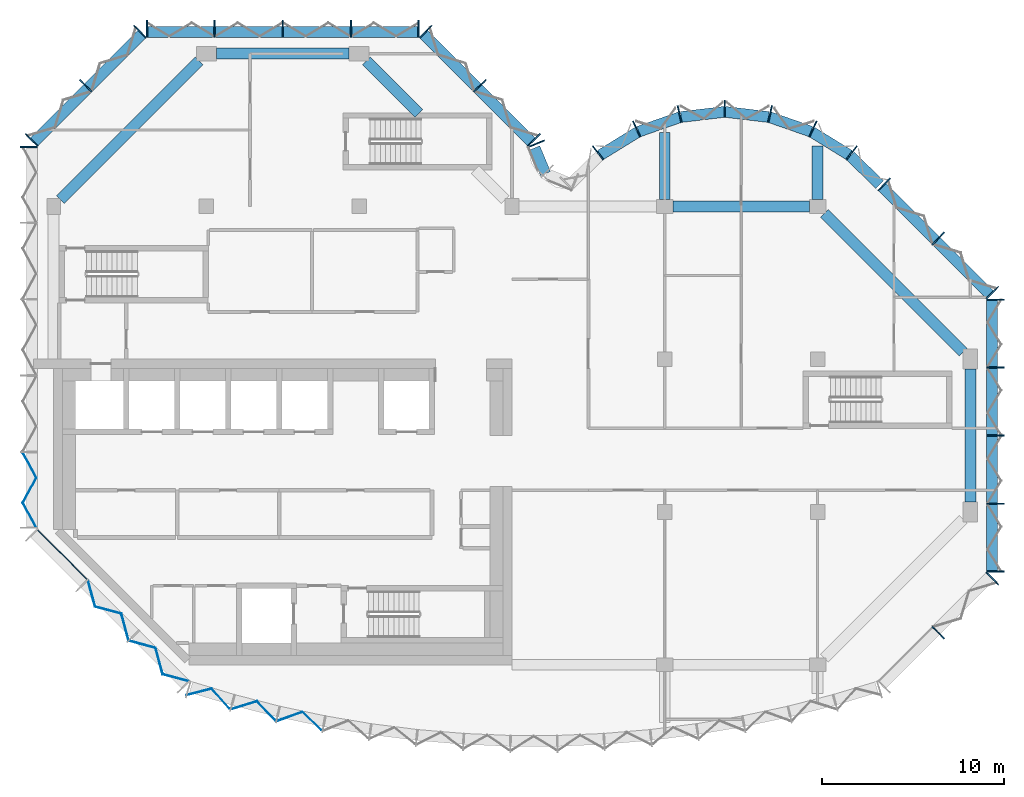
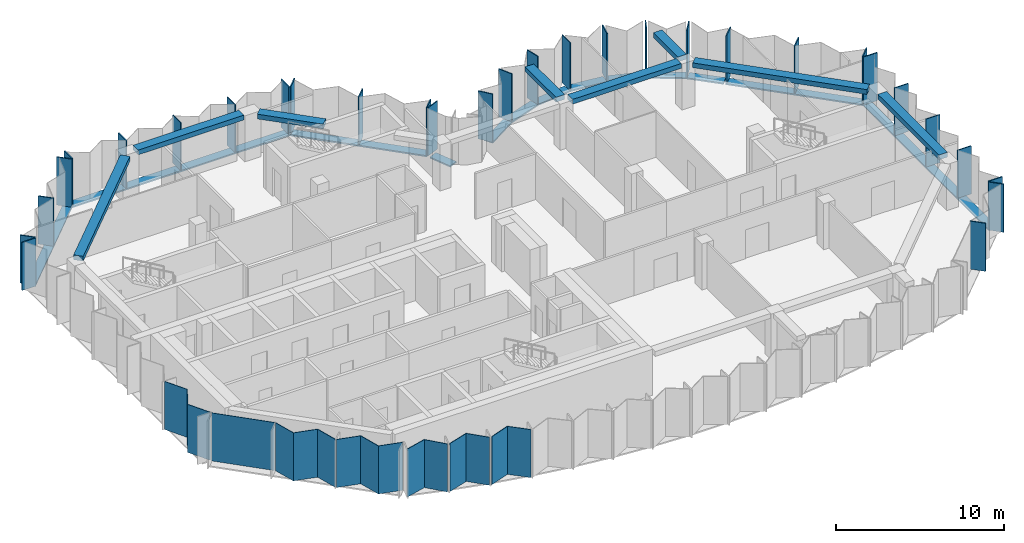
# One storey, part 2 of 10: 43 members, 8 beams, 7 plates, 11 elements without a shape of their own.
"""IFC4 building model written with IfcOpenShell, lengths in metres."""

from ifc_helpers import new_model, si_unit, direction, frame, origin, origin_2d, place, context, subcontext, project, spatial, polyline, rectangle, outline, extrude, material, layer, layer_set, material_profile, profile_set, type_object, element, aggregate, save


model = new_model("IFC4")

# Units and contexts
model_context = context("Model", 3, precision=1e-05, world=origin(), true_north=direction((0.0, 1.0)))
body_context = subcontext(model_context, "Body", "Model", "MODEL_VIEW")
ifc_project = project(units=[si_unit("LENGTHUNIT", "METRE"), si_unit("AREAUNIT", "SQUARE_METRE"), si_unit("VOLUMEUNIT", "CUBIC_METRE"), si_unit("PLANEANGLEUNIT", "RADIAN"), si_unit("MASSUNIT", "GRAM", prefix="KILO")], contexts=[model_context])

# Site, building, storey
site_placement = place(None, origin())
site = spatial("IfcSite", under=ifc_project, at=site_placement, CompositionType="ELEMENT")
building_placement = place(site_placement, origin())
building = spatial("IfcBuilding", under=site, at=building_placement, Name="Brevane Broadcast Tower", CompositionType="ELEMENT")
storey_placement = place(building_placement, frame((0.0, 0.0, 237.300048828125)))
storey = spatial("IfcBuildingStorey", under=building, at=storey_placement, Name="L60", CompositionType="ELEMENT", Elevation=237.300048828125)

# Curtain wall, members
ifc_material_1 = material(Name="Aluminium 6063-T6 bronze anodised", Category="aluminium")
curtain_wall_type = type_object("IfcCurtainWallType", Name="CW-1 curtain wall", PredefinedType="NOTDEFINED", material=ifc_material_1)
curtain_wall_1_placement = place(storey_placement, origin())
curtain_wall_1 = element("IfcCurtainWall", 1, at=curtain_wall_1_placement, inside=storey, type_object=curtain_wall_type, Name="CW-1 typical tilted unit L60 south-east chamfer", PredefinedType="NOTDEFINED")
ifc_material_profile_1 = material_profile(ifc_material_1, rectangle(XDim=0.949951171875, YDim=0.070068359375, at=origin_2d()), Name="RECT 70x950")
ifc_profile_set_1 = profile_set([ifc_material_profile_1], Name="Aluminium 6063-T6 bronze anodised")
member_type_1 = type_object("IfcMemberType", Name="CW-1 mullion 70x950", PredefinedType="MULLION", material=ifc_profile_set_1)
member_1_placement = place(storey_placement, frame((48.635986328125, 1.76416015625, -0.150146484375), z_axis=(0.0, 0.0, 1.0), x_axis=(-0.707106781187, 0.707106781187, 0.0)))
member_1 = element("IfcMember", 2, at=member_1_placement, type_object=member_type_1, Name="CW-1 mullion", PredefinedType="MULLION", context=body_context, shape_type="SweptSolid", body=[
    extrude(rectangle(XDim=0.949951171875, YDim=0.070068359375, at=origin_2d()), origin(), (0.0, 0.0, 1.0), 3.5),
])
member_2_placement = place(storey_placement, frame((51.611083984375, 4.7392578125, -0.150146484375), z_axis=(0.0, 0.0, 1.0), x_axis=(-0.707106781187, 0.707106781187, 0.0)))
member_2 = element("IfcMember", 3, at=member_2_placement, type_object=member_type_1, Name="CW-1 mullion", PredefinedType="MULLION", context=body_context, shape_type="SweptSolid", body=[
    extrude(rectangle(XDim=0.949951171875, YDim=0.070068359375, at=origin_2d()), origin(), (0.0, 0.0, 1.0), 3.5),
])
aggregate(curtain_wall_1, [member_1, member_2])

curtain_wall_2_placement = place(storey_placement, origin())
curtain_wall_2 = element("IfcCurtainWall", 4, at=curtain_wall_2_placement, inside=storey, type_object=curtain_wall_type, Name="CW-1 typical tilted unit L60 east end", PredefinedType="NOTDEFINED")
member_3_placement = place(storey_placement, frame((51.77490234375, 5.135009765625, -0.150146484375), z_axis=(0.0, 0.0, 1.0), x_axis=(-1.0, 0.0, 0.0)))
member_3 = element("IfcMember", 5, at=member_3_placement, type_object=member_type_1, Name="CW-1 mullion", PredefinedType="MULLION", context=body_context, shape_type="SweptSolid", body=[
    extrude(rectangle(XDim=0.949951171875, YDim=0.070068359375, at=origin_2d()), origin(), (0.0, 0.0, 1.0), 3.5),
])
member_4_placement = place(storey_placement, frame((51.77490234375, 8.85009765625, -0.150146484375), z_axis=(0.0, 0.0, 1.0), x_axis=(-1.0, 0.0, 0.0)))
member_4 = element("IfcMember", 6, at=member_4_placement, type_object=member_type_1, Name="CW-1 mullion", PredefinedType="MULLION", context=body_context, shape_type="SweptSolid", body=[
    extrude(rectangle(XDim=0.949951171875, YDim=0.070068359375, at=origin_2d()), origin(), (0.0, 0.0, 1.0), 3.5),
])
member_5_placement = place(storey_placement, frame((51.77490234375, 12.60009765625, -0.150146484375), z_axis=(0.0, 0.0, 1.0), x_axis=(-1.0, 0.0, 0.0)))
member_5 = element("IfcMember", 7, at=member_5_placement, type_object=member_type_1, Name="CW-1 mullion", PredefinedType="MULLION", context=body_context, shape_type="SweptSolid", body=[
    extrude(rectangle(XDim=0.949951171875, YDim=0.070068359375, at=origin_2d()), origin(), (0.0, 0.0, 1.0), 3.5),
])
member_6_placement = place(storey_placement, frame((51.77490234375, 16.35009765625, -0.150146484375), z_axis=(0.0, 0.0, 1.0), x_axis=(-1.0, 0.0, 0.0)))
member_6 = element("IfcMember", 8, at=member_6_placement, type_object=member_type_1, Name="CW-1 mullion", PredefinedType="MULLION", context=body_context, shape_type="SweptSolid", body=[
    extrude(rectangle(XDim=0.949951171875, YDim=0.070068359375, at=origin_2d()), origin(), (0.0, 0.0, 1.0), 3.5),
])
member_7_placement = place(storey_placement, frame((51.77490234375, 20.06494140625, -0.150146484375), z_axis=(0.0, 0.0, 1.0), x_axis=(-1.0, 0.0, 0.0)))
member_7 = element("IfcMember", 9, at=member_7_placement, type_object=member_type_1, Name="CW-1 mullion", PredefinedType="MULLION", context=body_context, shape_type="SweptSolid", body=[
    extrude(rectangle(XDim=0.949951171875, YDim=0.070068359375, at=origin_2d()), origin(), (0.0, 0.0, 1.0), 3.5),
])

curtain_wall_3_placement = place(storey_placement, origin())
curtain_wall_3 = element("IfcCurtainWall", 10, at=curtain_wall_3_placement, inside=storey, type_object=curtain_wall_type, Name="CW-1 typical tilted unit L60 north-east chamfer", PredefinedType="NOTDEFINED")
member_8_placement = place(storey_placement, frame((51.611083984375, 20.460693359375, -0.150146484375), z_axis=(0.0, 0.0, 1.0), x_axis=(-0.707106781187, -0.707106781187, 0.0)))
member_8 = element("IfcMember", 11, at=member_8_placement, type_object=member_type_1, Name="CW-1 mullion", PredefinedType="MULLION", context=body_context, shape_type="SweptSolid", body=[
    extrude(rectangle(XDim=0.949951171875, YDim=0.070068359375, at=origin_2d()), origin(), (0.0, 0.0, 1.0), 3.5),
])
member_9_placement = place(storey_placement, frame((48.635986328125, 23.435791015625, -0.150146484375), z_axis=(0.0, 0.0, 1.0), x_axis=(-0.707106781187, -0.707106781187, 0.0)))
member_9 = element("IfcMember", 12, at=member_9_placement, type_object=member_type_1, Name="CW-1 mullion", PredefinedType="MULLION", context=body_context, shape_type="SweptSolid", body=[
    extrude(rectangle(XDim=0.949951171875, YDim=0.070068359375, at=origin_2d()), origin(), (0.0, 0.0, 1.0), 3.5),
])
member_10_placement = place(storey_placement, frame((45.66064453125, 26.4111328125, -0.150146484375), z_axis=(0.0, 0.0, 1.0), x_axis=(-0.707106781187, -0.707106781187, 0.0)))
member_10 = element("IfcMember", 13, at=member_10_placement, type_object=member_type_1, Name="CW-1 mullion", PredefinedType="MULLION", context=body_context, shape_type="SweptSolid", body=[
    extrude(rectangle(XDim=0.949951171875, YDim=0.070068359375, at=origin_2d()), origin(), (0.0, 0.0, 1.0), 3.5),
])

curtain_wall_4_placement = place(storey_placement, origin())
curtain_wall_4 = element("IfcCurtainWall", 14, at=curtain_wall_4_placement, inside=storey, type_object=curtain_wall_type, Name="CW-1 typical tilted unit L60 east bow", PredefinedType="NOTDEFINED")
member_11_placement = place(storey_placement, frame((43.8720703125, 28.1455078125, -0.150146484375), z_axis=(0.0, 0.0, 1.0), x_axis=(-0.614769698862, -0.788706673841, 0.0)))
member_11 = element("IfcMember", 15, at=member_11_placement, type_object=member_type_1, Name="CW-1 mullion", PredefinedType="MULLION", context=body_context, shape_type="SweptSolid", body=[
    extrude(rectangle(XDim=0.949951171875, YDim=0.070068359375, at=origin_2d()), origin(), (0.0, 0.0, 1.0), 3.5),
])
member_12_placement = place(storey_placement, frame((41.746826171875, 29.4580078125, -0.150146484375), z_axis=(0.0, 0.0, 1.0), x_axis=(-0.429933580394, -0.902860518823, 0.0)))
member_12 = element("IfcMember", 16, at=member_12_placement, type_object=member_type_1, Name="CW-1 mullion", PredefinedType="MULLION", context=body_context, shape_type="SweptSolid", body=[
    extrude(rectangle(XDim=0.949951171875, YDim=0.070068359375, at=origin_2d()), origin(), (0.0, 0.0, 1.0), 3.5),
])
member_13_placement = place(storey_placement, frame((39.38818359375, 30.28076171875, -0.150146484375), z_axis=(0.0, 0.0, 1.0), x_axis=(-0.224806535479, -0.974403418306, 0.0)))
member_13 = element("IfcMember", 17, at=member_13_placement, type_object=member_type_1, Name="CW-1 mullion", PredefinedType="MULLION", context=body_context, shape_type="SweptSolid", body=[
    extrude(rectangle(XDim=0.949951171875, YDim=0.070068359375, at=origin_2d()), origin(), (0.0, 0.0, 1.0), 3.5),
])
member_14_placement = place(storey_placement, frame((36.89990234375, 30.574951171875, -0.150146484375), z_axis=(0.0, 0.0, 1.0), x_axis=(0.0, -1.0, 0.0)))
member_14 = element("IfcMember", 18, at=member_14_placement, type_object=member_type_1, Name="CW-1 mullion", PredefinedType="MULLION", context=body_context, shape_type="SweptSolid", body=[
    extrude(rectangle(XDim=0.949951171875, YDim=0.070068359375, at=origin_2d()), origin(), (0.0, 0.0, 1.0), 3.5),
])
member_15_placement = place(storey_placement, frame((34.411865234375, 30.28076171875, -0.150146484375), z_axis=(0.0, 0.0, 1.0), x_axis=(0.224806535479, -0.974403418306, 0.0)))
member_15 = element("IfcMember", 19, at=member_15_placement, type_object=member_type_1, Name="CW-1 mullion", PredefinedType="MULLION", context=body_context, shape_type="SweptSolid", body=[
    extrude(rectangle(XDim=0.949951171875, YDim=0.070068359375, at=origin_2d()), origin(), (0.0, 0.0, 1.0), 3.5),
])
member_16_placement = place(storey_placement, frame((32.05322265625, 29.4580078125, -0.150146484375), z_axis=(0.0, 0.0, 1.0), x_axis=(0.429933580394, -0.902860518823, 0.0)))
member_16 = element("IfcMember", 20, at=member_16_placement, type_object=member_type_1, Name="CW-1 mullion", PredefinedType="MULLION", context=body_context, shape_type="SweptSolid", body=[
    extrude(rectangle(XDim=0.949951171875, YDim=0.070068359375, at=origin_2d()), origin(), (0.0, 0.0, 1.0), 3.5),
])
member_17_placement = place(storey_placement, frame((29.927978515625, 28.1455078125, -0.150146484375), z_axis=(0.0, 0.0, 1.0), x_axis=(0.614769698862, -0.788706673841, 0.0)))
member_17 = element("IfcMember", 21, at=member_17_placement, type_object=member_type_1, Name="CW-1 mullion", PredefinedType="MULLION", context=body_context, shape_type="SweptSolid", body=[
    extrude(rectangle(XDim=0.949951171875, YDim=0.070068359375, at=origin_2d()), origin(), (0.0, 0.0, 1.0), 3.5),
])

# Curtain wall, member
curtain_wall_5_placement = place(storey_placement, origin())
curtain_wall_5 = element("IfcCurtainWall", 22, at=curtain_wall_5_placement, inside=storey, type_object=curtain_wall_type, Name="CW-1 typical tilted unit L60 inner corner", PredefinedType="NOTDEFINED")
member_18_placement = place(storey_placement, frame((26.55224609375, 28.6494140625, -0.150146484375), z_axis=(0.0, 0.0, 1.0), x_axis=(-0.923879532511, -0.382683432365, 0.0)))
member_18 = element("IfcMember", 23, at=member_18_placement, type_object=member_type_1, Name="CW-1 mullion", PredefinedType="MULLION", context=body_context, shape_type="SweptSolid", body=[
    extrude(rectangle(XDim=0.949951171875, YDim=0.070068359375, at=origin_2d()), origin(), (0.0, 0.0, 1.0), 3.5),
])

# Curtain wall, members
curtain_wall_6_placement = place(storey_placement, origin())
curtain_wall_6 = element("IfcCurtainWall", 24, at=curtain_wall_6_placement, inside=storey, type_object=curtain_wall_type, Name="CW-1 typical tilted unit L60 north arm north-east chamfer", PredefinedType="NOTDEFINED")
member_19_placement = place(storey_placement, frame((26.4111328125, 28.860595703125, -0.150146484375), z_axis=(0.0, 0.0, 1.0), x_axis=(-0.707106781187, -0.707106781187, 0.0)))
member_19 = element("IfcMember", 25, at=member_19_placement, type_object=member_type_1, Name="CW-1 mullion", PredefinedType="MULLION", context=body_context, shape_type="SweptSolid", body=[
    extrude(rectangle(XDim=0.949951171875, YDim=0.070068359375, at=origin_2d()), origin(), (0.0, 0.0, 1.0), 3.5),
])
member_20_placement = place(storey_placement, frame((23.435791015625, 31.8359375, -0.150146484375), z_axis=(0.0, 0.0, 1.0), x_axis=(-0.707106781187, -0.707106781187, 0.0)))
member_20 = element("IfcMember", 26, at=member_20_placement, type_object=member_type_1, Name="CW-1 mullion", PredefinedType="MULLION", context=body_context, shape_type="SweptSolid", body=[
    extrude(rectangle(XDim=0.949951171875, YDim=0.070068359375, at=origin_2d()), origin(), (0.0, 0.0, 1.0), 3.5),
])
member_21_placement = place(storey_placement, frame((20.460693359375, 34.81103515625, -0.150146484375), z_axis=(0.0, 0.0, 1.0), x_axis=(-0.707106781187, -0.707106781187, 0.0)))
member_21 = element("IfcMember", 27, at=member_21_placement, type_object=member_type_1, Name="CW-1 mullion", PredefinedType="MULLION", context=body_context, shape_type="SweptSolid", body=[
    extrude(rectangle(XDim=0.949951171875, YDim=0.070068359375, at=origin_2d()), origin(), (0.0, 0.0, 1.0), 3.5),
])

curtain_wall_7_placement = place(storey_placement, origin())
curtain_wall_7 = element("IfcCurtainWall", 28, at=curtain_wall_7_placement, inside=storey, type_object=curtain_wall_type, Name="CW-1 typical tilted unit L60 north end", PredefinedType="NOTDEFINED")
member_22_placement = place(storey_placement, frame((20.06494140625, 34.97509765625, -0.150146484375), z_axis=(0.0, 0.0, 1.0), x_axis=(0.0, -1.0, 0.0)))
member_22 = element("IfcMember", 29, at=member_22_placement, type_object=member_type_1, Name="CW-1 mullion", PredefinedType="MULLION", context=body_context, shape_type="SweptSolid", body=[
    extrude(rectangle(XDim=0.949951171875, YDim=0.070068359375, at=origin_2d()), origin(), (0.0, 0.0, 1.0), 3.5),
])
member_23_placement = place(storey_placement, frame((16.35009765625, 34.97509765625, -0.150146484375), z_axis=(0.0, 0.0, 1.0), x_axis=(0.0, -1.0, 0.0)))
member_23 = element("IfcMember", 30, at=member_23_placement, type_object=member_type_1, Name="CW-1 mullion", PredefinedType="MULLION", context=body_context, shape_type="SweptSolid", body=[
    extrude(rectangle(XDim=0.949951171875, YDim=0.070068359375, at=origin_2d()), origin(), (0.0, 0.0, 1.0), 3.5),
])
member_24_placement = place(storey_placement, frame((12.60009765625, 34.97509765625, -0.150146484375), z_axis=(0.0, 0.0, 1.0), x_axis=(0.0, -1.0, 0.0)))
member_24 = element("IfcMember", 31, at=member_24_placement, type_object=member_type_1, Name="CW-1 mullion", PredefinedType="MULLION", context=body_context, shape_type="SweptSolid", body=[
    extrude(rectangle(XDim=0.949951171875, YDim=0.070068359375, at=origin_2d()), origin(), (0.0, 0.0, 1.0), 3.5),
])
member_25_placement = place(storey_placement, frame((8.85009765625, 34.97509765625, -0.150146484375), z_axis=(0.0, 0.0, 1.0), x_axis=(0.0, -1.0, 0.0)))
member_25 = element("IfcMember", 32, at=member_25_placement, type_object=member_type_1, Name="CW-1 mullion", PredefinedType="MULLION", context=body_context, shape_type="SweptSolid", body=[
    extrude(rectangle(XDim=0.949951171875, YDim=0.070068359375, at=origin_2d()), origin(), (0.0, 0.0, 1.0), 3.5),
])
member_26_placement = place(storey_placement, frame((5.135009765625, 34.97509765625, -0.150146484375), z_axis=(0.0, 0.0, 1.0), x_axis=(0.0, -1.0, 0.0)))
member_26 = element("IfcMember", 33, at=member_26_placement, type_object=member_type_1, Name="CW-1 mullion", PredefinedType="MULLION", context=body_context, shape_type="SweptSolid", body=[
    extrude(rectangle(XDim=0.949951171875, YDim=0.070068359375, at=origin_2d()), origin(), (0.0, 0.0, 1.0), 3.5),
])

curtain_wall_8_placement = place(storey_placement, origin())
curtain_wall_8 = element("IfcCurtainWall", 34, at=curtain_wall_8_placement, inside=storey, type_object=curtain_wall_type, Name="CW-1 typical tilted unit L60 north-west chamfer", PredefinedType="NOTDEFINED")
member_27_placement = place(storey_placement, frame((4.7392578125, 34.81103515625, -0.150146484375), z_axis=(0.0, 0.0, 1.0), x_axis=(0.707106781187, -0.707106781187, 0.0)))
member_27 = element("IfcMember", 35, at=member_27_placement, type_object=member_type_1, Name="CW-1 mullion", PredefinedType="MULLION", context=body_context, shape_type="SweptSolid", body=[
    extrude(rectangle(XDim=0.949951171875, YDim=0.070068359375, at=origin_2d()), origin(), (0.0, 0.0, 1.0), 3.5),
])
member_28_placement = place(storey_placement, frame((1.76416015625, 31.8359375, -0.150146484375), z_axis=(0.0, 0.0, 1.0), x_axis=(0.707106781187, -0.707106781187, 0.0)))
member_28 = element("IfcMember", 36, at=member_28_placement, type_object=member_type_1, Name="CW-1 mullion", PredefinedType="MULLION", context=body_context, shape_type="SweptSolid", body=[
    extrude(rectangle(XDim=0.949951171875, YDim=0.070068359375, at=origin_2d()), origin(), (0.0, 0.0, 1.0), 3.5),
])
member_29_placement = place(storey_placement, frame((-1.211181640625, 28.860595703125, -0.150146484375), z_axis=(0.0, 0.0, 1.0), x_axis=(0.707106781187, -0.707106781187, 0.0)))
member_29 = element("IfcMember", 37, at=member_29_placement, type_object=member_type_1, Name="CW-1 mullion", PredefinedType="MULLION", context=body_context, shape_type="SweptSolid", body=[
    extrude(rectangle(XDim=0.949951171875, YDim=0.070068359375, at=origin_2d()), origin(), (0.0, 0.0, 1.0), 3.5),
])

# Curtain wall, member
curtain_wall_9_placement = place(storey_placement, origin())
curtain_wall_9 = element("IfcCurtainWall", 38, at=curtain_wall_9_placement, inside=storey, type_object=curtain_wall_type, Name="CW-1 typical tilted unit L60 west face", PredefinedType="NOTDEFINED")
member_30_placement = place(storey_placement, frame((-1.375, 28.465087890625, -0.150146484375), z_axis=(0.0, 0.0, 1.0), x_axis=(1.0, 0.0, 0.0)))
member_30 = element("IfcMember", 39, at=member_30_placement, type_object=member_type_1, Name="CW-1 mullion", PredefinedType="MULLION", context=body_context, shape_type="SweptSolid", body=[
    extrude(rectangle(XDim=0.949951171875, YDim=0.070068359375, at=origin_2d()), origin(), (0.0, 0.0, 1.0), 3.5),
])

# Member
ifc_material_profile_2 = material_profile(ifc_material_1, rectangle(XDim=0.60009765625, YDim=0.10009765625, at=origin_2d()), Name="RECT 100x600")
ifc_profile_set_2 = profile_set([ifc_material_profile_2], Name="Aluminium 6063-T6 bronze anodised")
member_type_2 = type_object("IfcMemberType", Name="CW-1 transom 100x600", PredefinedType="USERDEFINED", material=ifc_profile_set_2)
member_31_placement = place(storey_placement, frame((51.60009765625, 5.10009765625, -0.199951171875), z_axis=(0.0, 1.0, 0.0), x_axis=(-1.0, 0.0, 0.0)))
member_31 = element("IfcMember", 40, at=member_31_placement, type_object=member_type_2, Name="CW-1 transom", ObjectType="TRANSOM", PredefinedType="USERDEFINED", context=body_context, shape_type="SweptSolid", body=[
    extrude(rectangle(XDim=0.60009765625, YDim=0.10009765625, at=origin_2d()), origin(), (0.0, 0.0, 1.0), 15.0),
])

aggregate(curtain_wall_2, [member_3, member_4, member_5, member_6, member_7, member_31])

member_32_placement = place(storey_placement, frame((51.51220703125, 20.31201171875, -0.199951171875), z_axis=(-0.707106781187, 0.707106781187, 0.0), x_axis=(-0.707106781187, -0.707106781187, 0.0)))
member_32 = element("IfcMember", 41, at=member_32_placement, type_object=member_type_2, Name="CW-1 transom", ObjectType="TRANSOM", PredefinedType="USERDEFINED", context=body_context, shape_type="SweptSolid", body=[
    extrude(rectangle(XDim=0.60009765625, YDim=0.10009765625, at=origin_2d()), origin(), (0.0, 0.0, 1.0), 8.4853515625),
])

aggregate(curtain_wall_3, [member_8, member_9, member_10, member_32])

member_33_placement = place(storey_placement, frame((45.412841796875, 26.407958984375, -0.199951171875), z_axis=(-0.71724215871, 0.696823999134, 0.0), x_axis=(-0.696823999134, -0.71724215871, 0.0)))
member_33 = element("IfcMember", 42, at=member_33_placement, type_object=member_type_2, Name="CW-1 transom", ObjectType="TRANSOM", PredefinedType="USERDEFINED", context=body_context, shape_type="SweptSolid", body=[
    extrude(rectangle(XDim=0.60009765625, YDim=0.10009765625, at=origin_2d()), origin(), (0.0, 0.0, 1.0), 2.247802734375),
])

member_34_placement = place(storey_placement, frame((43.7421875, 28.023193359375, -0.199951171875), z_axis=(-0.850810063131, 0.525473345162, 0.0), x_axis=(-0.525473345162, -0.850810063131, 0.0)))
member_34 = element("IfcMember", 43, at=member_34_placement, type_object=member_type_2, Name="CW-1 transom", ObjectType="TRANSOM", PredefinedType="USERDEFINED", context=body_context, shape_type="SweptSolid", body=[
    extrude(rectangle(XDim=0.60009765625, YDim=0.10009765625, at=origin_2d()), origin(), (0.0, 0.0, 1.0), 2.39453125),
])

member_35_placement = place(storey_placement, frame((41.63623046875, 29.314208984375, -0.199951171875), z_axis=(-0.944197969542, 0.329378497041, 0.0), x_axis=(-0.329378497041, -0.944197969542, 0.0)))
member_35 = element("IfcMember", 44, at=member_35_placement, type_object=member_type_2, Name="CW-1 transom", ObjectType="TRANSOM", PredefinedType="USERDEFINED", context=body_context, shape_type="SweptSolid", body=[
    extrude(rectangle(XDim=0.60009765625, YDim=0.10009765625, at=origin_2d()), origin(), (0.0, 0.0, 1.0), 2.394775390625),
])

member_36_placement = place(storey_placement, frame((39.30029296875, 30.117431640625, -0.199951171875), z_axis=(-0.993062061831, 0.117591417, 0.0), x_axis=(-0.117591417, -0.993062061831, 0.0)))
member_36 = element("IfcMember", 45, at=member_36_placement, type_object=member_type_2, Name="CW-1 transom", ObjectType="TRANSOM", PredefinedType="USERDEFINED", context=body_context, shape_type="SweptSolid", body=[
    extrude(rectangle(XDim=0.60009765625, YDim=0.10009765625, at=origin_2d()), origin(), (0.0, 0.0, 1.0), 2.39794921875),
])

member_37_placement = place(storey_placement, frame((36.880859375, 30.3994140625, -0.199951171875), z_axis=(-0.993060653805, -0.117603307202, 0.0), x_axis=(0.117603307202, -0.993060653805, 0.0)))
member_37 = element("IfcMember", 46, at=member_37_placement, type_object=member_type_2, Name="CW-1 transom", ObjectType="TRANSOM", PredefinedType="USERDEFINED", context=body_context, shape_type="SweptSolid", body=[
    extrude(rectangle(XDim=0.60009765625, YDim=0.10009765625, at=origin_2d()), origin(), (0.0, 0.0, 1.0), 2.397705078125),
])

member_38_placement = place(storey_placement, frame((34.425048828125, 30.10302734375, -0.199951171875), z_axis=(-0.944197969542, -0.329378497041, 0.0), x_axis=(0.329378497041, -0.944197969542, 0.0)))
member_38 = element("IfcMember", 47, at=member_38_placement, type_object=member_type_2, Name="CW-1 transom", ObjectType="TRANSOM", PredefinedType="USERDEFINED", context=body_context, shape_type="SweptSolid", body=[
    extrude(rectangle(XDim=0.60009765625, YDim=0.10009765625, at=origin_2d()), origin(), (0.0, 0.0, 1.0), 2.394775390625),
])

member_39_placement = place(storey_placement, frame((32.09521484375, 29.281494140625, -0.199951171875), z_axis=(-0.850838211365, -0.525427766759, 0.0), x_axis=(0.525427766759, -0.850838211365, 0.0)))
member_39 = element("IfcMember", 48, at=member_39_placement, type_object=member_type_2, Name="CW-1 transom", ObjectType="TRANSOM", PredefinedType="USERDEFINED", context=body_context, shape_type="SweptSolid", body=[
    extrude(rectangle(XDim=0.60009765625, YDim=0.10009765625, at=origin_2d()), origin(), (0.0, 0.0, 1.0), 2.394775390625),
])

aggregate(curtain_wall_4, [member_11, member_12, member_13, member_14, member_15, member_16, member_17, member_33, member_34, member_35, member_36, member_37, member_38, member_39])

member_40_placement = place(storey_placement, frame((27.039794921875, 27.0, -0.199951171875), z_axis=(-0.382674472816, 0.923883243627, 0.0), x_axis=(-0.923883243627, -0.382674472816, 0.0)))
member_40 = element("IfcMember", 49, at=member_40_placement, type_object=member_type_2, Name="CW-1 transom", ObjectType="TRANSOM", PredefinedType="USERDEFINED", context=body_context, shape_type="SweptSolid", body=[
    extrude(rectangle(XDim=0.60009765625, YDim=0.10009765625, at=origin_2d()), origin(), (0.0, 0.0, 1.0), 1.536865234375),
])

aggregate(curtain_wall_5, [member_18, member_40])

member_41_placement = place(storey_placement, frame((26.31201171875, 28.712158203125, -0.199951171875), z_axis=(-0.707106781187, 0.707106781187, 0.0), x_axis=(-0.707106781187, -0.707106781187, 0.0)))
member_41 = element("IfcMember", 50, at=member_41_placement, type_object=member_type_2, Name="CW-1 transom", ObjectType="TRANSOM", PredefinedType="USERDEFINED", context=body_context, shape_type="SweptSolid", body=[
    extrude(rectangle(XDim=0.60009765625, YDim=0.10009765625, at=origin_2d()), origin(), (0.0, 0.0, 1.0), 8.4853515625),
])

aggregate(curtain_wall_6, [member_19, member_20, member_21, member_41])

member_42_placement = place(storey_placement, frame((20.10009765625, 34.800048828125, -0.199951171875), z_axis=(-1.0, 0.0, 0.0), x_axis=(0.0, -1.0, 0.0)))
member_42 = element("IfcMember", 51, at=member_42_placement, type_object=member_type_2, Name="CW-1 transom", ObjectType="TRANSOM", PredefinedType="USERDEFINED", context=body_context, shape_type="SweptSolid", body=[
    extrude(rectangle(XDim=0.60009765625, YDim=0.10009765625, at=origin_2d()), origin(), (0.0, 0.0, 1.0), 15.0),
])

aggregate(curtain_wall_7, [member_22, member_23, member_24, member_25, member_26, member_42])

member_43_placement = place(storey_placement, frame((4.887939453125, 34.712158203125, -0.199951171875), z_axis=(-0.707106781187, -0.707106781187, 0.0), x_axis=(0.707106781187, -0.707106781187, 0.0)))
member_43 = element("IfcMember", 52, at=member_43_placement, type_object=member_type_2, Name="CW-1 transom", ObjectType="TRANSOM", PredefinedType="USERDEFINED", context=body_context, shape_type="SweptSolid", body=[
    extrude(rectangle(XDim=0.60009765625, YDim=0.10009765625, at=origin_2d()), origin(), (0.0, 0.0, 1.0), 8.4853515625),
])

aggregate(curtain_wall_8, [member_27, member_28, member_29, member_43])

# Beams
ifc_material_2 = material(Name="Concrete C40/50", Category="concrete")
ifc_material_profile_3 = material_profile(ifc_material_2, rectangle(XDim=0.60009765625, YDim=0.35009765625, at=origin_2d()), Name="RC 600x350")
ifc_profile_set_3 = profile_set([ifc_material_profile_3], Name="Concrete C40/50")
beam_type_1 = type_object("IfcBeamType", Name="RC BRACKET BEAM 600x350 C40/50", PredefinedType="BEAM", material=ifc_profile_set_3)
beam_1_placement = place(storey_placement, frame((33.60009765625, 25.574951171875, 3.175048828125), z_axis=(0.0, 1.0, 0.0), x_axis=(-1.0, 0.0, 0.0)))
element("IfcBeam", 53, at=beam_1_placement, inside=storey, type_object=beam_type_1, Name="EB2 L60-2", PredefinedType="BEAM", context=body_context, shape_type="SweptSolid", body=[
    extrude(rectangle(XDim=0.60009765625, YDim=0.35009765625, at=origin_2d()), origin(), (0.0, 0.0, 1.0), 3.68701171875),
])
beam_2_placement = place(storey_placement, frame((42.0, 25.574951171875, 3.175048828125), z_axis=(0.0, 1.0, 0.0), x_axis=(-1.0, 0.0, 0.0)))
element("IfcBeam", 54, at=beam_2_placement, inside=storey, type_object=beam_type_1, Name="EB2 L60-4", PredefinedType="BEAM", context=body_context, shape_type="SweptSolid", body=[
    extrude(rectangle(XDim=0.60009765625, YDim=0.35009765625, at=origin_2d()), origin(), (0.0, 0.0, 1.0), 2.9365234375),
])
ifc_material_profile_4 = material_profile(ifc_material_2, rectangle(XDim=0.60009765625, YDim=0.35009765625, at=origin_2d()), Name="RC 600x350")
ifc_profile_set_4 = profile_set([ifc_material_profile_4], Name="Concrete C40/50")
beam_type_2 = type_object("IfcBeamType", Name="RC SPANDREL BEAM 600x350 C40/50", PredefinedType="SPANDREL", material=ifc_profile_set_4)
beam_3_placement = place(storey_placement, frame((50.39990234375, 8.949951171875, 3.175048828125), z_axis=(0.0, 1.0, 0.0), x_axis=(-1.0, 0.0, 0.0)))
element("IfcBeam", 55, at=beam_3_placement, inside=storey, type_object=beam_type_2, Name="EB1 L60-4", PredefinedType="SPANDREL", context=body_context, shape_type="SweptSolid", body=[
    extrude(rectangle(XDim=0.60009765625, YDim=0.35009765625, at=origin_2d()), origin(), (0.0, 0.0, 1.0), 7.300048828125),
])
beam_4_placement = place(storey_placement, frame((50.0, 17.199951171875, 3.175048828125), z_axis=(-0.707106781187, 0.707106781187, 0.0), x_axis=(-0.707106781187, -0.707106781187, 0.0)))
element("IfcBeam", 56, at=beam_4_placement, inside=storey, type_object=beam_type_2, Name="EB1 L60-5", PredefinedType="SPANDREL", context=body_context, shape_type="SweptSolid", body=[
    extrude(rectangle(XDim=0.60009765625, YDim=0.35009765625, at=origin_2d()), origin(), (0.0, 0.0, 1.0), 10.783447265625),
])
beam_5_placement = place(storey_placement, frame((41.550048828125, 25.199951171875, 3.175048828125), z_axis=(-1.0, 0.0, 0.0), x_axis=(0.0, -1.0, 0.0)))
element("IfcBeam", 57, at=beam_5_placement, inside=storey, type_object=beam_type_2, Name="EB1 L60-6", PredefinedType="SPANDREL", context=body_context, shape_type="SweptSolid", body=[
    extrude(rectangle(XDim=0.60009765625, YDim=0.35009765625, at=origin_2d()), origin(), (0.0, 0.0, 1.0), 7.5),
])
beam_6_placement = place(storey_placement, frame((20.080078125, 30.320068359375, 3.175048828125), z_axis=(-0.707136751593, 0.70707680951, 0.0), x_axis=(-0.70707680951, -0.707136751593, 0.0)))
element("IfcBeam", 58, at=beam_6_placement, inside=storey, type_object=beam_type_2, Name="EB1 L60-12", PredefinedType="SPANDREL", context=body_context, shape_type="SweptSolid", body=[
    extrude(rectangle(XDim=0.60009765625, YDim=0.35009765625, at=origin_2d()), origin(), (0.0, 0.0, 1.0), 4.072998046875),
])
beam_7_placement = place(storey_placement, frame((16.25, 33.60009765625, 3.175048828125), z_axis=(-1.0, 0.0, 0.0), x_axis=(0.0, -1.0, 0.0)))
element("IfcBeam", 59, at=beam_7_placement, inside=storey, type_object=beam_type_2, Name="EB1 L60-9", PredefinedType="SPANDREL", context=body_context, shape_type="SweptSolid", body=[
    extrude(rectangle(XDim=0.60009765625, YDim=0.35009765625, at=origin_2d()), origin(), (0.0, 0.0, 1.0), 7.300048828125),
])
beam_8_placement = place(storey_placement, frame((8.0, 33.199951171875, 3.175048828125), z_axis=(-0.707106781187, -0.707106781187, 0.0), x_axis=(0.707106781187, -0.707106781187, 0.0)))
element("IfcBeam", 60, at=beam_8_placement, inside=storey, type_object=beam_type_2, Name="EB1 L60-10", PredefinedType="SPANDREL", context=body_context, shape_type="SweptSolid", body=[
    extrude(rectangle(XDim=0.60009765625, YDim=0.35009765625, at=origin_2d()), origin(), (0.0, 0.0, 1.0), 10.783447265625),
])

# Curtain wall, plates
curtain_wall_10_placement = place(storey_placement, origin())
curtain_wall_10 = element("IfcCurtainWall", 61, at=curtain_wall_10_placement, inside=storey, type_object=curtain_wall_type, Name="CW-1 typical tilted unit L60 south bow", PredefinedType="NOTDEFINED")
ifc_material_3 = material(Name="Laminated glass bronze-tinted", Category="glass")
ifc_layer = layer(ifc_material_3, 0.0400390625)
ifc_layer_set = layer_set([ifc_layer], Name="CW tall glass panel 40")
plate_type = type_object("IfcPlateType", Name="CW tall glass panel 40", PredefinedType="CURTAIN_PANEL", material=ifc_layer_set)
plate_1_placement = place(storey_placement, frame((0.0, 0.0, -0.150146484375)))
plate_1 = element("IfcPlate", 62, at=plate_1_placement, type_object=plate_type, Name="CW-1 glass panel", PredefinedType="CURTAIN_PANEL", context=body_context, shape_type="SweptSolid", body=[
    extrude(outline(polyline([(7.312255859375, -1.643310546875), (7.298583984375, -1.68798828125), (8.68603515625, -1.334716796875), (9.65771484375, -2.421875), (9.670654296875, -2.376220703125), (8.69970703125, -1.289794921875), (7.312255859375, -1.643310546875)])), origin(), (0.0, 0.0, 1.0), 3.5),
])
plate_2_placement = place(storey_placement, frame((0.0, 0.0, -0.150146484375)))
plate_2 = element("IfcPlate", 63, at=plate_2_placement, type_object=plate_type, Name="CW-1 glass panel", PredefinedType="CURTAIN_PANEL", context=body_context, shape_type="SweptSolid", body=[
    extrude(outline(polyline([(9.81494140625, -2.407470703125), (9.80224609375, -2.453369140625), (11.174560546875, -2.030029296875), (12.17236328125, -3.069580078125), (12.18310546875, -3.023193359375), (11.186279296875, -1.984619140625), (9.81494140625, -2.407470703125)])), origin(), (0.0, 0.0, 1.0), 3.5),
])
plate_3_placement = place(storey_placement, frame((0.0, 0.0, -0.150146484375)))
plate_3 = element("IfcPlate", 64, at=plate_3_placement, type_object=plate_type, Name="CW-1 glass panel", PredefinedType="CURTAIN_PANEL", context=body_context, shape_type="SweptSolid", body=[
    extrude(outline(polyline([(12.328125, -3.051513671875), (12.317138671875, -3.09765625), (13.67138671875, -2.615966796875), (14.711669921875, -3.611328125), (14.720458984375, -3.564453125), (13.68115234375, -2.570068359375), (12.328125, -3.051513671875)])), origin(), (0.0, 0.0, 1.0), 3.5),
])
aggregate(curtain_wall_10, [plate_1, plate_2, plate_3])

# Plate
plate_4_placement = place(storey_placement, frame((0.0, 0.0, -0.150146484375)))
plate_4 = element("IfcPlate", 65, at=plate_4_placement, type_object=plate_type, Name="CW-1 glass panel", PredefinedType="CURTAIN_PANEL", context=body_context, shape_type="SweptSolid", body=[
    extrude(outline(polyline([(-1.671630859375, 11.6650390625), (-1.717041015625, 11.6650390625), (-0.97265625, 10.288330078125), (-1.717041015625, 8.91162109375), (-0.97265625, 7.534912109375), (-0.92724609375, 7.534912109375), (-1.671630859375, 8.91162109375), (-0.92724609375, 10.288330078125), (-1.671630859375, 11.6650390625)])), origin(), (0.0, 0.0, 1.0), 3.5),
])

aggregate(curtain_wall_9, [member_30, plate_4])

# Curtain wall, plates
curtain_wall_11_placement = place(storey_placement, origin())
curtain_wall_11 = element("IfcCurtainWall", 66, at=curtain_wall_11_placement, inside=storey, type_object=curtain_wall_type, Name="CW-1 typical tilted unit L60 south-west chamfer", PredefinedType="NOTDEFINED")
plate_5_placement = place(storey_placement, frame((0.0, 0.0, -0.150146484375)))
plate_5 = element("IfcPlate", 67, at=plate_5_placement, type_object=plate_type, Name="CW-1 glass panel", PredefinedType="CURTAIN_PANEL", context=body_context, shape_type="SweptSolid", body=[
    extrude(outline(polyline([(-0.896484375, 7.4541015625), (1.85400390625, 4.70361328125), (1.82568359375, 4.67529296875), (-0.9248046875, 7.42578125), (-0.896484375, 7.4541015625)])), origin(), (0.0, 0.0, 1.0), 3.5),
])
plate_6_placement = place(storey_placement, frame((0.0, 0.0, -0.150146484375)))
plate_6 = element("IfcPlate", 68, at=plate_6_placement, type_object=plate_type, Name="CW-1 glass panel", PredefinedType="CURTAIN_PANEL", context=body_context, shape_type="SweptSolid", body=[
    extrude(outline(polyline([(1.90576171875, 4.65625), (1.873046875, 4.62353515625), (2.263671875, 3.180419921875), (3.706787109375, 2.789794921875), (4.09716796875, 1.3466796875), (4.1298828125, 1.37939453125), (3.739501953125, 2.822509765625), (2.296142578125, 3.212890625), (1.90576171875, 4.65625)])), origin(), (0.0, 0.0, 1.0), 3.5),
])
plate_7_placement = place(storey_placement, frame((0.0, 0.0, -0.150146484375)))
plate_7 = element("IfcPlate", 69, at=plate_7_placement, type_object=plate_type, Name="CW-1 glass panel", PredefinedType="CURTAIN_PANEL", context=body_context, shape_type="SweptSolid", body=[
    extrude(outline(polyline([(4.17919921875, 1.329833984375), (4.146728515625, 1.297119140625), (5.58984375, 0.90673828125), (5.98046875, -0.536376953125), (7.423583984375, -0.927001953125), (7.456298828125, -0.894287109375), (6.012939453125, -0.50390625), (5.62255859375, 0.939453125), (4.17919921875, 1.329833984375)])), origin(), (0.0, 0.0, 1.0), 3.5),
])
aggregate(curtain_wall_11, [plate_5, plate_6, plate_7])

save(model, "model.ifc")
